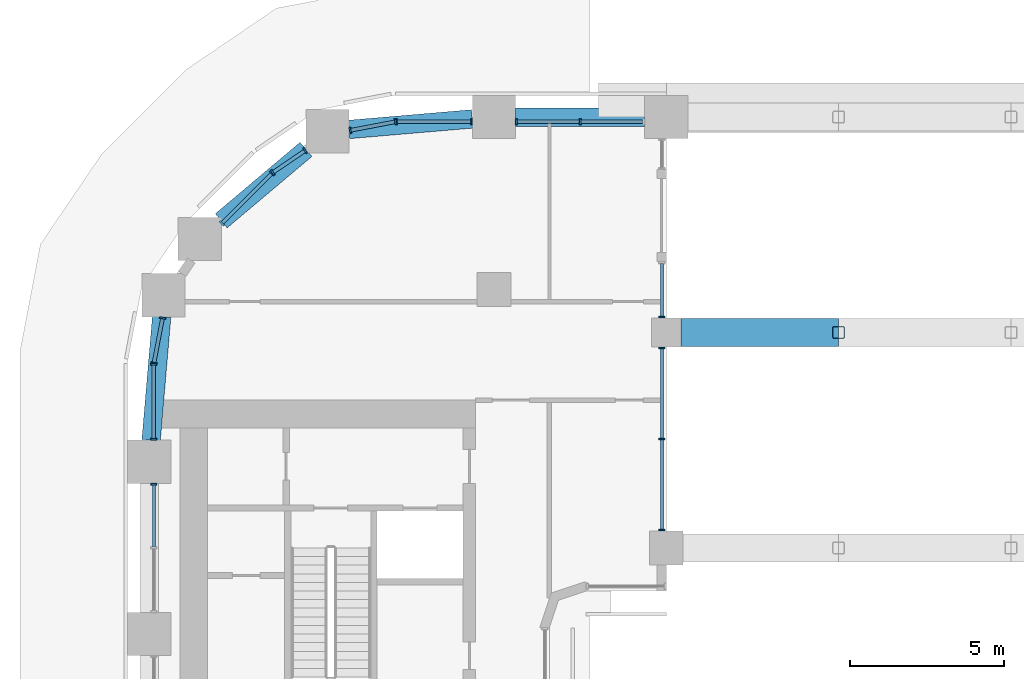
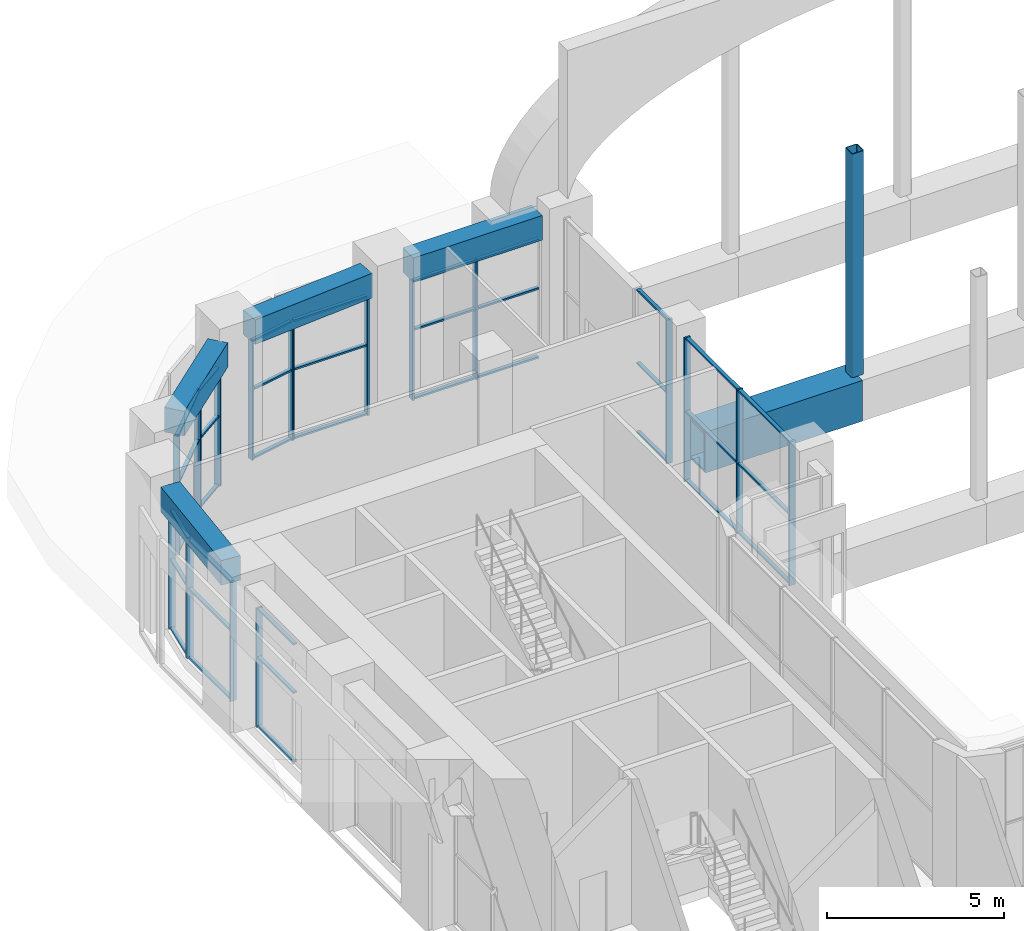
# One storey, part 8 of 27: 57 members, 4 beams, 10 elements without a shape of their own.
"""IFC4 building model written with IfcOpenShell, lengths in metres."""

from ifc_helpers import new_model, si_unit, direction, frame, origin, origin_2d, place, context, subcontext, project, spatial, rectangle, hollow_rectangle, extrude, material, layer, layer_set, material_profile, profile_set, type_object, element, aggregate, save


model = new_model("IFC4")

# Units and contexts
model_context = context("Model", 3, precision=1e-05, world=origin(), true_north=direction((0.0, 1.0)))
body_context = subcontext(model_context, "Body", "Model", "MODEL_VIEW")
ifc_project = project(units=[si_unit("LENGTHUNIT", "METRE"), si_unit("AREAUNIT", "SQUARE_METRE"), si_unit("VOLUMEUNIT", "CUBIC_METRE"), si_unit("PLANEANGLEUNIT", "RADIAN"), si_unit("MASSUNIT", "GRAM", prefix="KILO")], contexts=[model_context])

# Site, building, storey
site_placement = place(None, origin())
site = spatial("IfcSite", under=ifc_project, at=site_placement, CompositionType="ELEMENT")
building_placement = place(site_placement, origin())
building = spatial("IfcBuilding", under=site, at=building_placement, Name="Kiln Ring Residences", CompositionType="ELEMENT")
storey_placement = place(building_placement, frame((0.0, 0.0, 72.5)))
storey = spatial("IfcBuildingStorey", under=building, at=storey_placement, Name="L18", CompositionType="ELEMENT", Elevation=72.5)

# Members
ifc_material_1 = material(Name="Steel S460", Category="steel")
ifc_material_profile_1 = material_profile(ifc_material_1, hollow_rectangle(XDim=0.89990234375, YDim=1.39990234375, WallThickness=0.080078125, at=origin_2d()), Name="BOX1400x900x80")
ifc_profile_set_1 = profile_set([ifc_material_profile_1], Name="Steel S460")
member_type_1 = type_object("IfcMemberType", Name="Bridge truss chord BOX1400x900x80 S460", PredefinedType="CHORD", material=ifc_profile_set_1)
member_1_placement = place(storey_placement, frame((-10.72509765625, 15.39990234375, 0.699951171875), z_axis=(1.0, 0.0, 0.0), x_axis=(0.0, 1.0, 0.0)))
element("IfcMember", 1, at=member_1_placement, inside=storey, type_object=member_type_1, Name="Bridge truss chord L18 17", PredefinedType="CHORD", context=body_context, shape_type="SweptSolid", body=[
    extrude(hollow_rectangle(XDim=0.89990234375, YDim=1.39990234375, WallThickness=0.080078125, at=origin_2d()), origin(), (0.0, 0.0, 1.0), 5.125),
])
ifc_material_2 = material(Name="Steel S355", Category="steel")
ifc_material_profile_2 = material_profile(ifc_material_2, hollow_rectangle(XDim=0.39990234375, YDim=0.39990234375, WallThickness=0.02490234375, InnerFilletRadius=0.02490234375, OuterFilletRadius=0.0625, at=origin_2d()), Name="SHS400x400x25")
ifc_profile_set_2 = profile_set([ifc_material_profile_2], Name="Steel S355")
member_type_2 = type_object("IfcMemberType", Name="Bridge truss post SHS400x400x25 S355", PredefinedType="POST", material=ifc_profile_set_2)
member_2_placement = place(storey_placement, frame((-5.60009765625, 15.39990234375, 1.39990234375), z_axis=(0.0, 0.0, 1.0), x_axis=(1.0, 0.0, 0.0)))
element("IfcMember", 2, at=member_2_placement, inside=storey, type_object=member_type_2, Name="Bridge truss post L18 13", PredefinedType="POST", context=body_context, shape_type="SweptSolid", body=[
    extrude(hollow_rectangle(XDim=0.39990234375, YDim=0.39990234375, WallThickness=0.02490234375, InnerFilletRadius=0.02490234375, OuterFilletRadius=0.0625, at=origin_2d()), origin(), (0.0, 0.0, 1.0), 7.7001953125),
])

# Curtain wall, members
ifc_material_3 = material(Name="Aluminium and glass", Category="aluminium")
ifc_layer = layer(ifc_material_3, 0.199951171875)
ifc_layer_set = layer_set([ifc_layer], Name="CW1 CURTAIN WALL")
curtain_wall_type = type_object("IfcCurtainWallType", Name="CW1 CURTAIN WALL", PredefinedType="NOTDEFINED", material=ifc_layer_set)
placement = place(storey_placement, origin())
curtain_wall_1 = element("IfcCurtainWall", 3, at=placement, inside=storey, type_object=curtain_wall_type, Name="Curtain wall CW1 L18", PredefinedType="NOTDEFINED")
ifc_material_4 = material(Name="Aluminium 6063-T6", Category="aluminium")
ifc_material_profile_3 = material_profile(ifc_material_4, rectangle(XDim=0.199951171875, YDim=0.06005859375, at=origin_2d()), Name="AL 200x60")
ifc_profile_set_3 = profile_set([ifc_material_profile_3], Name="Aluminium 6063-T6")
member_type_3 = type_object("IfcMemberType", Name="CW1 MULLION 200 x 60", PredefinedType="MULLION", material=ifc_profile_set_3)
member_3_placement = place(storey_placement, frame((-11.35009765625, 8.97998046875, 0.0), z_axis=(0.0, 0.0, 1.0), x_axis=(-1.0, 0.0, 0.0)))
member_3 = element("IfcMember", 4, at=member_3_placement, type_object=member_type_3, Name="CW1 mullion 1", PredefinedType="MULLION", context=body_context, shape_type="SweptSolid", body=[
    extrude(rectangle(XDim=0.199951171875, YDim=0.06005859375, at=origin_2d()), origin(), (0.0, 0.0, 1.0), 4.949951171875),
])
member_4_placement = place(storey_placement, frame((-11.35009765625, 11.9375, 0.0), z_axis=(0.0, 0.0, 1.0), x_axis=(-1.0, 0.0, 0.0)))
member_4 = element("IfcMember", 5, at=member_4_placement, type_object=member_type_3, Name="CW1 mullion 2", PredefinedType="MULLION", context=body_context, shape_type="SweptSolid", body=[
    extrude(rectangle(XDim=0.199951171875, YDim=0.06005859375, at=origin_2d()), origin(), (0.0, 0.0, 1.0), 4.949951171875),
])
member_5_placement = place(storey_placement, frame((-11.35009765625, 14.89501953125, 0.0), z_axis=(0.0, 0.0, 1.0), x_axis=(-1.0, 0.0, 0.0)))
member_5 = element("IfcMember", 6, at=member_5_placement, type_object=member_type_3, Name="CW1 mullion 3", PredefinedType="MULLION", context=body_context, shape_type="SweptSolid", body=[
    extrude(rectangle(XDim=0.199951171875, YDim=0.06005859375, at=origin_2d()), origin(), (0.0, 0.0, 1.0), 4.949951171875),
])

# Curtain wall, member
curtain_wall_2 = element("IfcCurtainWall", 7, at=placement, inside=storey, type_object=curtain_wall_type, Name="Curtain wall CW1 L18", PredefinedType="NOTDEFINED")
member_6_placement = place(storey_placement, frame((-11.35009765625, 15.905029296875, 0.0), z_axis=(0.0, 0.0, 1.0), x_axis=(-1.0, 0.0, 0.0)))
member_6 = element("IfcMember", 8, at=member_6_placement, type_object=member_type_3, Name="CW1 mullion 1", PredefinedType="MULLION", context=body_context, shape_type="SweptSolid", body=[
    extrude(rectangle(XDim=0.199951171875, YDim=0.06005859375, at=origin_2d()), origin(), (0.0, 0.0, 1.0), 4.949951171875),
])

# Curtain wall, members
curtain_wall_3 = element("IfcCurtainWall", 9, at=placement, inside=storey, type_object=curtain_wall_type, Name="Curtain wall CW1 L18", PredefinedType="NOTDEFINED")
member_7_placement = place(storey_placement, frame((-14.0, 22.25, 0.0), z_axis=(0.0, 0.0, 1.0), x_axis=(0.0, -1.0, 0.0)))
member_7 = element("IfcMember", 10, at=member_7_placement, type_object=member_type_3, Name="CW1 mullion 2", PredefinedType="MULLION", context=body_context, shape_type="SweptSolid", body=[
    extrude(rectangle(XDim=0.199951171875, YDim=0.06005859375, at=origin_2d()), origin(), (0.0, 0.0, 1.0), 4.10009765625),
])
member_8_placement = place(storey_placement, frame((-16.070068359375, 22.25, 0.0), z_axis=(0.0, 0.0, 1.0), x_axis=(0.0, -1.0, 0.0)))
member_8 = element("IfcMember", 11, at=member_8_placement, type_object=member_type_3, Name="CW1 mullion 3", PredefinedType="MULLION", context=body_context, shape_type="SweptSolid", body=[
    extrude(rectangle(XDim=0.199951171875, YDim=0.06005859375, at=origin_2d()), origin(), (0.0, 0.0, 1.0), 4.10009765625),
])

curtain_wall_4 = element("IfcCurtainWall", 12, at=placement, inside=storey, type_object=curtain_wall_type, Name="Curtain wall CW1 L18", PredefinedType="NOTDEFINED")
member_9_placement = place(storey_placement, frame((-17.530029296875, 22.25, 0.0), z_axis=(0.0, 0.0, 1.0), x_axis=(0.0, -1.0, 0.0)))
member_9 = element("IfcMember", 13, at=member_9_placement, type_object=member_type_3, Name="CW1 mullion 1", PredefinedType="MULLION", context=body_context, shape_type="SweptSolid", body=[
    extrude(rectangle(XDim=0.199951171875, YDim=0.06005859375, at=origin_2d()), origin(), (0.0, 0.0, 1.0), 4.10009765625),
])
member_10_placement = place(storey_placement, frame((-19.969970703125, 22.25, 0.0), z_axis=(0.0, 0.0, 1.0), x_axis=(0.0, -1.0, 0.0)))
member_10 = element("IfcMember", 14, at=member_10_placement, type_object=member_type_3, Name="CW1 mullion 2", PredefinedType="MULLION", context=body_context, shape_type="SweptSolid", body=[
    extrude(rectangle(XDim=0.199951171875, YDim=0.06005859375, at=origin_2d()), origin(), (0.0, 0.0, 1.0), 4.10009765625),
])

curtain_wall_5 = element("IfcCurtainWall", 15, at=placement, inside=storey, type_object=curtain_wall_type, Name="Curtain wall CW1 L18", PredefinedType="NOTDEFINED")
member_11_placement = place(storey_placement, frame((-20.00146484375, 22.2470703125, 0.0), z_axis=(0.0, 0.0, 1.0), x_axis=(0.187365550313, -0.982290257793, 0.0)))
member_11 = element("IfcMember", 16, at=member_11_placement, type_object=member_type_3, Name="CW1 mullion 1", PredefinedType="MULLION", context=body_context, shape_type="SweptSolid", body=[
    extrude(rectangle(XDim=0.199951171875, YDim=0.06005859375, at=origin_2d()), origin(), (0.0, 0.0, 1.0), 4.10009765625),
])
member_12_placement = place(storey_placement, frame((-21.470947265625, 21.966796875, 0.0), z_axis=(0.0, 0.0, 1.0), x_axis=(0.187365550313, -0.982290257793, 0.0)))
member_12 = element("IfcMember", 17, at=member_12_placement, type_object=member_type_3, Name="CW1 mullion 2", PredefinedType="MULLION", context=body_context, shape_type="SweptSolid", body=[
    extrude(rectangle(XDim=0.199951171875, YDim=0.06005859375, at=origin_2d()), origin(), (0.0, 0.0, 1.0), 4.10009765625),
])

curtain_wall_6 = element("IfcCurtainWall", 18, at=placement, inside=storey, type_object=curtain_wall_type, Name="Curtain wall CW1 L18", PredefinedType="NOTDEFINED")
member_13_placement = place(storey_placement, frame((-22.93359375, 21.312255859375, 0.0), z_axis=(0.0, 0.0, 1.0), x_axis=(0.56209665138, -0.827071553439, 0.0)))
member_13 = element("IfcMember", 19, at=member_13_placement, type_object=member_type_3, Name="CW1 mullion 1", PredefinedType="MULLION", context=body_context, shape_type="SweptSolid", body=[
    extrude(rectangle(XDim=0.199951171875, YDim=0.06005859375, at=origin_2d()), origin(), (0.0, 0.0, 1.0), 4.10009765625),
])
member_14_placement = place(storey_placement, frame((-23.988037109375, 20.595703125, 0.0), z_axis=(0.0, 0.0, 1.0), x_axis=(0.56209665138, -0.827071553439, 0.0)))
member_14 = element("IfcMember", 20, at=member_14_placement, type_object=member_type_3, Name="CW1 mullion 2", PredefinedType="MULLION", context=body_context, shape_type="SweptSolid", body=[
    extrude(rectangle(XDim=0.199951171875, YDim=0.06005859375, at=origin_2d()), origin(), (0.0, 0.0, 1.0), 4.10009765625),
])

curtain_wall_7 = element("IfcCurtainWall", 21, at=placement, inside=storey, type_object=curtain_wall_type, Name="Curtain wall CW1 L18", PredefinedType="NOTDEFINED")
member_15_placement = place(storey_placement, frame((-24.01220703125, 20.57568359375, 0.0), z_axis=(0.0, 0.0, 1.0), x_axis=(0.707106781187, -0.707106781187, 0.0)))
member_15 = element("IfcMember", 22, at=member_15_placement, type_object=member_type_3, Name="CW1 mullion 1", PredefinedType="MULLION", context=body_context, shape_type="SweptSolid", body=[
    extrude(rectangle(XDim=0.199951171875, YDim=0.06005859375, at=origin_2d()), origin(), (0.0, 0.0, 1.0), 4.10009765625),
])
member_16_placement = place(storey_placement, frame((-25.638671875, 18.94921875, 0.0), z_axis=(0.0, 0.0, 1.0), x_axis=(0.707106781187, -0.707106781187, 0.0)))
member_16 = element("IfcMember", 23, at=member_16_placement, type_object=member_type_3, Name="CW1 mullion 2", PredefinedType="MULLION", context=body_context, shape_type="SweptSolid", body=[
    extrude(rectangle(XDim=0.199951171875, YDim=0.06005859375, at=origin_2d()), origin(), (0.0, 0.0, 1.0), 4.10009765625),
])

curtain_wall_8 = element("IfcCurtainWall", 24, at=placement, inside=storey, type_object=curtain_wall_type, Name="Curtain wall CW1 L18", PredefinedType="NOTDEFINED")
member_17_placement = place(storey_placement, frame((-27.566650390625, 15.87109375, 0.0), z_axis=(0.0, 0.0, 1.0), x_axis=(0.982290257793, -0.187365550313, 0.0)))
member_17 = element("IfcMember", 25, at=member_17_placement, type_object=member_type_3, Name="CW1 mullion 1", PredefinedType="MULLION", context=body_context, shape_type="SweptSolid", body=[
    extrude(rectangle(XDim=0.199951171875, YDim=0.06005859375, at=origin_2d()), origin(), (0.0, 0.0, 1.0), 4.10009765625),
])
member_18_placement = place(storey_placement, frame((-27.846923828125, 14.4013671875, 0.0), z_axis=(0.0, 0.0, 1.0), x_axis=(0.982290257793, -0.187365550313, 0.0)))
member_18 = element("IfcMember", 26, at=member_18_placement, type_object=member_type_3, Name="CW1 mullion 2", PredefinedType="MULLION", context=body_context, shape_type="SweptSolid", body=[
    extrude(rectangle(XDim=0.199951171875, YDim=0.06005859375, at=origin_2d()), origin(), (0.0, 0.0, 1.0), 4.10009765625),
])

curtain_wall_9 = element("IfcCurtainWall", 27, at=placement, inside=storey, type_object=curtain_wall_type, Name="Curtain wall CW1 L18", PredefinedType="NOTDEFINED")
member_19_placement = place(storey_placement, frame((-27.85009765625, 14.3701171875, 0.0), z_axis=(0.0, 0.0, 1.0), x_axis=(1.0, 0.0, 0.0)))
member_19 = element("IfcMember", 28, at=member_19_placement, type_object=member_type_3, Name="CW1 mullion 1", PredefinedType="MULLION", context=body_context, shape_type="SweptSolid", body=[
    extrude(rectangle(XDim=0.199951171875, YDim=0.06005859375, at=origin_2d()), origin(), (0.0, 0.0, 1.0), 4.10009765625),
])
member_20_placement = place(storey_placement, frame((-27.85009765625, 11.929931640625, 0.0), z_axis=(0.0, 0.0, 1.0), x_axis=(1.0, 0.0, 0.0)))
member_20 = element("IfcMember", 29, at=member_20_placement, type_object=member_type_3, Name="CW1 mullion 2", PredefinedType="MULLION", context=body_context, shape_type="SweptSolid", body=[
    extrude(rectangle(XDim=0.199951171875, YDim=0.06005859375, at=origin_2d()), origin(), (0.0, 0.0, 1.0), 4.10009765625),
])

# Curtain wall, member
curtain_wall_10 = element("IfcCurtainWall", 30, at=placement, inside=storey, type_object=curtain_wall_type, Name="Curtain wall CW1 L18", PredefinedType="NOTDEFINED")
member_21_placement = place(storey_placement, frame((-27.85009765625, 10.469970703125, 0.0), z_axis=(0.0, 0.0, 1.0), x_axis=(1.0, 0.0, 0.0)))
member_21 = element("IfcMember", 31, at=member_21_placement, type_object=member_type_3, Name="CW1 mullion 1", PredefinedType="MULLION", context=body_context, shape_type="SweptSolid", body=[
    extrude(rectangle(XDim=0.199951171875, YDim=0.06005859375, at=origin_2d()), origin(), (0.0, 0.0, 1.0), 4.10009765625),
])

# Member
ifc_material_5 = material(Name="Aluminium 6063-T6", Category="aluminium")
ifc_material_profile_4 = material_profile(ifc_material_5, rectangle(XDim=0.1201171875, YDim=0.06005859375, at=origin_2d()), Name="AL 120x60")
ifc_profile_set_4 = profile_set([ifc_material_profile_4], Name="Aluminium 6063-T6")
member_type_4 = type_object("IfcMemberType", Name="CW1 TRANSOM 120 x 60", PredefinedType="USERDEFINED", material=ifc_profile_set_4)
member_22_placement = place(storey_placement, frame((-11.35009765625, 9.010009765625, 0.030029296875), z_axis=(0.0, 1.0, 0.0), x_axis=(-1.0, 0.0, 0.0)))
member_22 = element("IfcMember", 32, at=member_22_placement, type_object=member_type_4, Name="CW1 transom 1.1", ObjectType="TRANSOM", PredefinedType="USERDEFINED", context=body_context, shape_type="SweptSolid", body=[
    extrude(rectangle(XDim=0.1201171875, YDim=0.06005859375, at=origin_2d()), origin(), (0.0, 0.0, 1.0), 2.8974609375),
])

member_23_placement = place(storey_placement, frame((-11.35009765625, 9.010009765625, 2.39990234375), z_axis=(0.0, 1.0, 0.0), x_axis=(-1.0, 0.0, 0.0)))
member_23 = element("IfcMember", 33, at=member_23_placement, type_object=member_type_4, Name="CW1 transom 1.2", ObjectType="TRANSOM", PredefinedType="USERDEFINED", context=body_context, shape_type="SweptSolid", body=[
    extrude(rectangle(XDim=0.1201171875, YDim=0.06005859375, at=origin_2d()), origin(), (0.0, 0.0, 1.0), 2.8974609375),
])

member_24_placement = place(storey_placement, frame((-11.35009765625, 9.010009765625, 4.919921875), z_axis=(0.0, 1.0, 0.0), x_axis=(-1.0, 0.0, 0.0)))
member_24 = element("IfcMember", 34, at=member_24_placement, type_object=member_type_4, Name="CW1 transom 1.3", ObjectType="TRANSOM", PredefinedType="USERDEFINED", context=body_context, shape_type="SweptSolid", body=[
    extrude(rectangle(XDim=0.1201171875, YDim=0.06005859375, at=origin_2d()), origin(), (0.0, 0.0, 1.0), 2.8974609375),
])

member_25_placement = place(storey_placement, frame((-11.35009765625, 11.967529296875, 0.030029296875), z_axis=(0.0, 1.0, 0.0), x_axis=(-1.0, 0.0, 0.0)))
member_25 = element("IfcMember", 35, at=member_25_placement, type_object=member_type_4, Name="CW1 transom 2.1", ObjectType="TRANSOM", PredefinedType="USERDEFINED", context=body_context, shape_type="SweptSolid", body=[
    extrude(rectangle(XDim=0.1201171875, YDim=0.06005859375, at=origin_2d()), origin(), (0.0, 0.0, 1.0), 2.8974609375),
])

member_26_placement = place(storey_placement, frame((-11.35009765625, 11.967529296875, 2.39990234375), z_axis=(0.0, 1.0, 0.0), x_axis=(-1.0, 0.0, 0.0)))
member_26 = element("IfcMember", 36, at=member_26_placement, type_object=member_type_4, Name="CW1 transom 2.2", ObjectType="TRANSOM", PredefinedType="USERDEFINED", context=body_context, shape_type="SweptSolid", body=[
    extrude(rectangle(XDim=0.1201171875, YDim=0.06005859375, at=origin_2d()), origin(), (0.0, 0.0, 1.0), 2.8974609375),
])

member_27_placement = place(storey_placement, frame((-11.35009765625, 11.967529296875, 4.919921875), z_axis=(0.0, 1.0, 0.0), x_axis=(-1.0, 0.0, 0.0)))
member_27 = element("IfcMember", 37, at=member_27_placement, type_object=member_type_4, Name="CW1 transom 2.3", ObjectType="TRANSOM", PredefinedType="USERDEFINED", context=body_context, shape_type="SweptSolid", body=[
    extrude(rectangle(XDim=0.1201171875, YDim=0.06005859375, at=origin_2d()), origin(), (0.0, 0.0, 1.0), 2.8974609375),
])

aggregate(curtain_wall_1, [member_3, member_4, member_5, member_22, member_23, member_24, member_25, member_26, member_27])

member_28_placement = place(storey_placement, frame((-11.35009765625, 15.93505859375, 0.030029296875), z_axis=(0.0, 1.0, 0.0), x_axis=(-1.0, 0.0, 0.0)))
member_28 = element("IfcMember", 38, at=member_28_placement, type_object=member_type_4, Name="CW1 transom 1.1", ObjectType="TRANSOM", PredefinedType="USERDEFINED", context=body_context, shape_type="SweptSolid", body=[
    extrude(rectangle(XDim=0.1201171875, YDim=0.06005859375, at=origin_2d()), origin(), (0.0, 0.0, 1.0), 1.704833984375),
])

member_29_placement = place(storey_placement, frame((-11.35009765625, 15.93505859375, 2.39990234375), z_axis=(0.0, 1.0, 0.0), x_axis=(-1.0, 0.0, 0.0)))
member_29 = element("IfcMember", 39, at=member_29_placement, type_object=member_type_4, Name="CW1 transom 1.2", ObjectType="TRANSOM", PredefinedType="USERDEFINED", context=body_context, shape_type="SweptSolid", body=[
    extrude(rectangle(XDim=0.1201171875, YDim=0.06005859375, at=origin_2d()), origin(), (0.0, 0.0, 1.0), 1.704833984375),
])

member_30_placement = place(storey_placement, frame((-11.35009765625, 15.93505859375, 4.919921875), z_axis=(0.0, 1.0, 0.0), x_axis=(-1.0, 0.0, 0.0)))
member_30 = element("IfcMember", 40, at=member_30_placement, type_object=member_type_4, Name="CW1 transom 1.3", ObjectType="TRANSOM", PredefinedType="USERDEFINED", context=body_context, shape_type="SweptSolid", body=[
    extrude(rectangle(XDim=0.1201171875, YDim=0.06005859375, at=origin_2d()), origin(), (0.0, 0.0, 1.0), 1.704833984375),
])

aggregate(curtain_wall_2, [member_6, member_28, member_29, member_30])

member_31_placement = place(storey_placement, frame((-11.9599609375, 22.25, 0.030029296875), z_axis=(-1.0, 0.0, 0.0), x_axis=(0.0, -1.0, 0.0)))
member_31 = element("IfcMember", 41, at=member_31_placement, type_object=member_type_4, Name="CW1 transom 1.1", ObjectType="TRANSOM", PredefinedType="USERDEFINED", context=body_context, shape_type="SweptSolid", body=[
    extrude(rectangle(XDim=0.1201171875, YDim=0.06005859375, at=origin_2d()), origin(), (0.0, 0.0, 1.0), 2.010009765625),
])

member_32_placement = place(storey_placement, frame((-11.9599609375, 22.25, 2.39990234375), z_axis=(-1.0, 0.0, 0.0), x_axis=(0.0, -1.0, 0.0)))
member_32 = element("IfcMember", 42, at=member_32_placement, type_object=member_type_4, Name="CW1 transom 1.2", ObjectType="TRANSOM", PredefinedType="USERDEFINED", context=body_context, shape_type="SweptSolid", body=[
    extrude(rectangle(XDim=0.1201171875, YDim=0.06005859375, at=origin_2d()), origin(), (0.0, 0.0, 1.0), 2.010009765625),
])

member_33_placement = place(storey_placement, frame((-11.9599609375, 22.25, 4.070068359375), z_axis=(-1.0, 0.0, 0.0), x_axis=(0.0, -1.0, 0.0)))
member_33 = element("IfcMember", 43, at=member_33_placement, type_object=member_type_4, Name="CW1 transom 1.3", ObjectType="TRANSOM", PredefinedType="USERDEFINED", context=body_context, shape_type="SweptSolid", body=[
    extrude(rectangle(XDim=0.1201171875, YDim=0.06005859375, at=origin_2d()), origin(), (0.0, 0.0, 1.0), 2.010009765625),
])

member_34_placement = place(storey_placement, frame((-14.030029296875, 22.25, 0.030029296875), z_axis=(-1.0, 0.0, 0.0), x_axis=(0.0, -1.0, 0.0)))
member_34 = element("IfcMember", 44, at=member_34_placement, type_object=member_type_4, Name="CW1 transom 2.1", ObjectType="TRANSOM", PredefinedType="USERDEFINED", context=body_context, shape_type="SweptSolid", body=[
    extrude(rectangle(XDim=0.1201171875, YDim=0.06005859375, at=origin_2d()), origin(), (0.0, 0.0, 1.0), 2.010009765625),
])

member_35_placement = place(storey_placement, frame((-14.030029296875, 22.25, 2.39990234375), z_axis=(-1.0, 0.0, 0.0), x_axis=(0.0, -1.0, 0.0)))
member_35 = element("IfcMember", 45, at=member_35_placement, type_object=member_type_4, Name="CW1 transom 2.2", ObjectType="TRANSOM", PredefinedType="USERDEFINED", context=body_context, shape_type="SweptSolid", body=[
    extrude(rectangle(XDim=0.1201171875, YDim=0.06005859375, at=origin_2d()), origin(), (0.0, 0.0, 1.0), 2.010009765625),
])

member_36_placement = place(storey_placement, frame((-14.030029296875, 22.25, 4.070068359375), z_axis=(-1.0, 0.0, 0.0), x_axis=(0.0, -1.0, 0.0)))
member_36 = element("IfcMember", 46, at=member_36_placement, type_object=member_type_4, Name="CW1 transom 2.3", ObjectType="TRANSOM", PredefinedType="USERDEFINED", context=body_context, shape_type="SweptSolid", body=[
    extrude(rectangle(XDim=0.1201171875, YDim=0.06005859375, at=origin_2d()), origin(), (0.0, 0.0, 1.0), 2.010009765625),
])

aggregate(curtain_wall_3, [member_7, member_8, member_31, member_32, member_33, member_34, member_35, member_36])

member_37_placement = place(storey_placement, frame((-17.56005859375, 22.25, 0.030029296875), z_axis=(-1.0, 0.0, 0.0), x_axis=(0.0, -1.0, 0.0)))
member_37 = element("IfcMember", 47, at=member_37_placement, type_object=member_type_4, Name="CW1 transom 1.1", ObjectType="TRANSOM", PredefinedType="USERDEFINED", context=body_context, shape_type="SweptSolid", body=[
    extrude(rectangle(XDim=0.1201171875, YDim=0.06005859375, at=origin_2d()), origin(), (0.0, 0.0, 1.0), 2.3798828125),
])

member_38_placement = place(storey_placement, frame((-17.56005859375, 22.25, 2.39990234375), z_axis=(-1.0, 0.0, 0.0), x_axis=(0.0, -1.0, 0.0)))
member_38 = element("IfcMember", 48, at=member_38_placement, type_object=member_type_4, Name="CW1 transom 1.2", ObjectType="TRANSOM", PredefinedType="USERDEFINED", context=body_context, shape_type="SweptSolid", body=[
    extrude(rectangle(XDim=0.1201171875, YDim=0.06005859375, at=origin_2d()), origin(), (0.0, 0.0, 1.0), 2.3798828125),
])

member_39_placement = place(storey_placement, frame((-17.56005859375, 22.25, 4.070068359375), z_axis=(-1.0, 0.0, 0.0), x_axis=(0.0, -1.0, 0.0)))
member_39 = element("IfcMember", 49, at=member_39_placement, type_object=member_type_4, Name="CW1 transom 1.3", ObjectType="TRANSOM", PredefinedType="USERDEFINED", context=body_context, shape_type="SweptSolid", body=[
    extrude(rectangle(XDim=0.1201171875, YDim=0.06005859375, at=origin_2d()), origin(), (0.0, 0.0, 1.0), 2.3798828125),
])

aggregate(curtain_wall_4, [member_9, member_10, member_37, member_38, member_39])

member_40_placement = place(storey_placement, frame((-20.03076171875, 22.241455078125, 0.030029296875), z_axis=(-0.982293897976, -0.187346465138, 0.0), x_axis=(0.187346465138, -0.982293897976, 0.0)))
member_40 = element("IfcMember", 50, at=member_40_placement, type_object=member_type_4, Name="CW1 transom 1.1", ObjectType="TRANSOM", PredefinedType="USERDEFINED", context=body_context, shape_type="SweptSolid", body=[
    extrude(rectangle(XDim=0.1201171875, YDim=0.06005859375, at=origin_2d()), origin(), (0.0, 0.0, 1.0), 1.43603515625),
])

member_41_placement = place(storey_placement, frame((-20.03076171875, 22.241455078125, 2.39990234375), z_axis=(-0.982293897976, -0.187346465138, 0.0), x_axis=(0.187346465138, -0.982293897976, 0.0)))
member_41 = element("IfcMember", 51, at=member_41_placement, type_object=member_type_4, Name="CW1 transom 1.2", ObjectType="TRANSOM", PredefinedType="USERDEFINED", context=body_context, shape_type="SweptSolid", body=[
    extrude(rectangle(XDim=0.1201171875, YDim=0.06005859375, at=origin_2d()), origin(), (0.0, 0.0, 1.0), 1.43603515625),
])

member_42_placement = place(storey_placement, frame((-20.03076171875, 22.241455078125, 4.070068359375), z_axis=(-0.982293897976, -0.187346465138, 0.0), x_axis=(0.187346465138, -0.982293897976, 0.0)))
member_42 = element("IfcMember", 52, at=member_42_placement, type_object=member_type_4, Name="CW1 transom 1.3", ObjectType="TRANSOM", PredefinedType="USERDEFINED", context=body_context, shape_type="SweptSolid", body=[
    extrude(rectangle(XDim=0.1201171875, YDim=0.06005859375, at=origin_2d()), origin(), (0.0, 0.0, 1.0), 1.43603515625),
])

aggregate(curtain_wall_5, [member_11, member_12, member_40, member_41, member_42])

member_43_placement = place(storey_placement, frame((-22.958251953125, 21.29541015625, 0.030029296875), z_axis=(-0.827102126361, -0.562051663613, 0.0), x_axis=(0.562051663613, -0.827102126361, 0.0)))
member_43 = element("IfcMember", 53, at=member_43_placement, type_object=member_type_4, Name="CW1 transom 1.1", ObjectType="TRANSOM", PredefinedType="USERDEFINED", context=body_context, shape_type="SweptSolid", body=[
    extrude(rectangle(XDim=0.1201171875, YDim=0.06005859375, at=origin_2d()), origin(), (0.0, 0.0, 1.0), 1.21484375),
])

member_44_placement = place(storey_placement, frame((-22.958251953125, 21.29541015625, 2.39990234375), z_axis=(-0.827102126361, -0.562051663613, 0.0), x_axis=(0.562051663613, -0.827102126361, 0.0)))
member_44 = element("IfcMember", 54, at=member_44_placement, type_object=member_type_4, Name="CW1 transom 1.2", ObjectType="TRANSOM", PredefinedType="USERDEFINED", context=body_context, shape_type="SweptSolid", body=[
    extrude(rectangle(XDim=0.1201171875, YDim=0.06005859375, at=origin_2d()), origin(), (0.0, 0.0, 1.0), 1.21484375),
])

member_45_placement = place(storey_placement, frame((-22.958251953125, 21.29541015625, 4.070068359375), z_axis=(-0.827102126361, -0.562051663613, 0.0), x_axis=(0.562051663613, -0.827102126361, 0.0)))
member_45 = element("IfcMember", 55, at=member_45_placement, type_object=member_type_4, Name="CW1 transom 1.3", ObjectType="TRANSOM", PredefinedType="USERDEFINED", context=body_context, shape_type="SweptSolid", body=[
    extrude(rectangle(XDim=0.1201171875, YDim=0.06005859375, at=origin_2d()), origin(), (0.0, 0.0, 1.0), 1.21484375),
])

aggregate(curtain_wall_6, [member_13, member_14, member_43, member_44, member_45])

member_46_placement = place(storey_placement, frame((-24.033447265625, 20.554443359375, 0.030029296875), z_axis=(-0.707106781187, -0.707106781187, 0.0), x_axis=(0.707106781187, -0.707106781187, 0.0)))
member_46 = element("IfcMember", 56, at=member_46_placement, type_object=member_type_4, Name="CW1 transom 1.1", ObjectType="TRANSOM", PredefinedType="USERDEFINED", context=body_context, shape_type="SweptSolid", body=[
    extrude(rectangle(XDim=0.1201171875, YDim=0.06005859375, at=origin_2d()), origin(), (0.0, 0.0, 1.0), 2.239990234375),
])

member_47_placement = place(storey_placement, frame((-24.033447265625, 20.554443359375, 2.39990234375), z_axis=(-0.707106781187, -0.707106781187, 0.0), x_axis=(0.707106781187, -0.707106781187, 0.0)))
member_47 = element("IfcMember", 57, at=member_47_placement, type_object=member_type_4, Name="CW1 transom 1.2", ObjectType="TRANSOM", PredefinedType="USERDEFINED", context=body_context, shape_type="SweptSolid", body=[
    extrude(rectangle(XDim=0.1201171875, YDim=0.06005859375, at=origin_2d()), origin(), (0.0, 0.0, 1.0), 2.239990234375),
])

member_48_placement = place(storey_placement, frame((-24.033447265625, 20.554443359375, 4.070068359375), z_axis=(-0.707106781187, -0.707106781187, 0.0), x_axis=(0.707106781187, -0.707106781187, 0.0)))
member_48 = element("IfcMember", 58, at=member_48_placement, type_object=member_type_4, Name="CW1 transom 1.3", ObjectType="TRANSOM", PredefinedType="USERDEFINED", context=body_context, shape_type="SweptSolid", body=[
    extrude(rectangle(XDim=0.1201171875, YDim=0.06005859375, at=origin_2d()), origin(), (0.0, 0.0, 1.0), 2.239990234375),
])

aggregate(curtain_wall_7, [member_15, member_16, member_46, member_47, member_48])

member_49_placement = place(storey_placement, frame((-27.572265625, 15.841552734375, 0.030029296875), z_axis=(-0.187346465138, -0.982293897976, 0.0), x_axis=(0.982293897976, -0.187346465138, 0.0)))
member_49 = element("IfcMember", 59, at=member_49_placement, type_object=member_type_4, Name="CW1 transom 1.1", ObjectType="TRANSOM", PredefinedType="USERDEFINED", context=body_context, shape_type="SweptSolid", body=[
    extrude(rectangle(XDim=0.1201171875, YDim=0.06005859375, at=origin_2d()), origin(), (0.0, 0.0, 1.0), 1.43603515625),
])

member_50_placement = place(storey_placement, frame((-27.572265625, 15.841552734375, 2.39990234375), z_axis=(-0.187346465138, -0.982293897976, 0.0), x_axis=(0.982293897976, -0.187346465138, 0.0)))
member_50 = element("IfcMember", 60, at=member_50_placement, type_object=member_type_4, Name="CW1 transom 1.2", ObjectType="TRANSOM", PredefinedType="USERDEFINED", context=body_context, shape_type="SweptSolid", body=[
    extrude(rectangle(XDim=0.1201171875, YDim=0.06005859375, at=origin_2d()), origin(), (0.0, 0.0, 1.0), 1.43603515625),
])

member_51_placement = place(storey_placement, frame((-27.572265625, 15.841552734375, 4.070068359375), z_axis=(-0.187346465138, -0.982293897976, 0.0), x_axis=(0.982293897976, -0.187346465138, 0.0)))
member_51 = element("IfcMember", 61, at=member_51_placement, type_object=member_type_4, Name="CW1 transom 1.3", ObjectType="TRANSOM", PredefinedType="USERDEFINED", context=body_context, shape_type="SweptSolid", body=[
    extrude(rectangle(XDim=0.1201171875, YDim=0.06005859375, at=origin_2d()), origin(), (0.0, 0.0, 1.0), 1.43603515625),
])

aggregate(curtain_wall_8, [member_17, member_18, member_49, member_50, member_51])

member_52_placement = place(storey_placement, frame((-27.85009765625, 14.340087890625, 0.030029296875), z_axis=(0.0, -1.0, 0.0), x_axis=(1.0, 0.0, 0.0)))
member_52 = element("IfcMember", 62, at=member_52_placement, type_object=member_type_4, Name="CW1 transom 1.1", ObjectType="TRANSOM", PredefinedType="USERDEFINED", context=body_context, shape_type="SweptSolid", body=[
    extrude(rectangle(XDim=0.1201171875, YDim=0.06005859375, at=origin_2d()), origin(), (0.0, 0.0, 1.0), 2.380126953125),
])

member_53_placement = place(storey_placement, frame((-27.85009765625, 14.340087890625, 2.39990234375), z_axis=(0.0, -1.0, 0.0), x_axis=(1.0, 0.0, 0.0)))
member_53 = element("IfcMember", 63, at=member_53_placement, type_object=member_type_4, Name="CW1 transom 1.2", ObjectType="TRANSOM", PredefinedType="USERDEFINED", context=body_context, shape_type="SweptSolid", body=[
    extrude(rectangle(XDim=0.1201171875, YDim=0.06005859375, at=origin_2d()), origin(), (0.0, 0.0, 1.0), 2.380126953125),
])

member_54_placement = place(storey_placement, frame((-27.85009765625, 14.340087890625, 4.070068359375), z_axis=(0.0, -1.0, 0.0), x_axis=(1.0, 0.0, 0.0)))
member_54 = element("IfcMember", 64, at=member_54_placement, type_object=member_type_4, Name="CW1 transom 1.3", ObjectType="TRANSOM", PredefinedType="USERDEFINED", context=body_context, shape_type="SweptSolid", body=[
    extrude(rectangle(XDim=0.1201171875, YDim=0.06005859375, at=origin_2d()), origin(), (0.0, 0.0, 1.0), 2.380126953125),
])

aggregate(curtain_wall_9, [member_19, member_20, member_52, member_53, member_54])

member_55_placement = place(storey_placement, frame((-27.85009765625, 10.43994140625, 0.030029296875), z_axis=(0.0, -1.0, 0.0), x_axis=(1.0, 0.0, 0.0)))
member_55 = element("IfcMember", 65, at=member_55_placement, type_object=member_type_4, Name="CW1 transom 1.1", ObjectType="TRANSOM", PredefinedType="USERDEFINED", context=body_context, shape_type="SweptSolid", body=[
    extrude(rectangle(XDim=0.1201171875, YDim=0.06005859375, at=origin_2d()), origin(), (0.0, 0.0, 1.0), 2.010009765625),
])

member_56_placement = place(storey_placement, frame((-27.85009765625, 10.43994140625, 2.39990234375), z_axis=(0.0, -1.0, 0.0), x_axis=(1.0, 0.0, 0.0)))
member_56 = element("IfcMember", 66, at=member_56_placement, type_object=member_type_4, Name="CW1 transom 1.2", ObjectType="TRANSOM", PredefinedType="USERDEFINED", context=body_context, shape_type="SweptSolid", body=[
    extrude(rectangle(XDim=0.1201171875, YDim=0.06005859375, at=origin_2d()), origin(), (0.0, 0.0, 1.0), 2.010009765625),
])

member_57_placement = place(storey_placement, frame((-27.85009765625, 10.43994140625, 4.070068359375), z_axis=(0.0, -1.0, 0.0), x_axis=(1.0, 0.0, 0.0)))
member_57 = element("IfcMember", 67, at=member_57_placement, type_object=member_type_4, Name="CW1 transom 1.3", ObjectType="TRANSOM", PredefinedType="USERDEFINED", context=body_context, shape_type="SweptSolid", body=[
    extrude(rectangle(XDim=0.1201171875, YDim=0.06005859375, at=origin_2d()), origin(), (0.0, 0.0, 1.0), 2.010009765625),
])

aggregate(curtain_wall_10, [member_21, member_55, member_56, member_57])

# Beams
ifc_material_6 = material(Name="Concrete C50/60", Category="concrete")
ifc_material_profile_5 = material_profile(ifc_material_6, rectangle(XDim=0.60009765625, YDim=0.85009765625, at=origin_2d()), Name="RC600x850")
ifc_profile_set_5 = profile_set([ifc_material_profile_5], Name="Concrete C50/60")
beam_type = type_object("IfcBeamType", Name="Spandrel beam RC600x850 C50/60", PredefinedType="SPANDREL", material=ifc_profile_set_5)
beam_1_placement = place(storey_placement, frame((-11.89990234375, 22.39990234375, 4.52490234375), z_axis=(-1.0, 0.0, 0.0), x_axis=(0.0, -1.0, 0.0)))
element("IfcBeam", 68, at=beam_1_placement, inside=storey, type_object=beam_type, Name="Spandrel beam L18 15", PredefinedType="SPANDREL", context=body_context, shape_type="SweptSolid", body=[
    extrude(rectangle(XDim=0.60009765625, YDim=0.85009765625, at=origin_2d()), origin(), (0.0, 0.0, 1.0), 4.2001953125),
])
beam_2_placement = place(storey_placement, frame((-17.5, 22.34033203125, 4.52490234375), z_axis=(-0.996369479058, -0.085134371444, 0.0), x_axis=(0.085134371444, -0.996369479058, 0.0)))
element("IfcBeam", 69, at=beam_2_placement, inside=storey, type_object=beam_type, Name="Spandrel beam L18 16", PredefinedType="SPANDREL", context=body_context, shape_type="SweptSolid", body=[
    extrude(rectangle(XDim=0.60009765625, YDim=0.85009765625, at=origin_2d()), origin(), (0.0, 0.0, 1.0), 4.0234375),
])
beam_3_placement = place(storey_placement, frame((-22.90869140625, 21.34814453125, 4.52490234375), z_axis=(-0.764733430751, -0.644346785428, 0.0), x_axis=(0.644346785428, -0.764733430751, 0.0)))
element("IfcBeam", 70, at=beam_3_placement, inside=storey, type_object=beam_type, Name="Spandrel beam L18 17", PredefinedType="SPANDREL", context=body_context, shape_type="SweptSolid", body=[
    extrude(rectangle(XDim=0.60009765625, YDim=0.85009765625, at=origin_2d()), origin(), (0.0, 0.0, 1.0), 3.59765625),
])
beam_4_placement = place(storey_placement, frame((-27.597900390625, 15.90869140625, 4.52490234375), z_axis=(-0.085074130543, -0.996374624482, 0.0), x_axis=(0.996374624482, -0.085074130543, 0.0)))
element("IfcBeam", 71, at=beam_4_placement, inside=storey, type_object=beam_type, Name="Spandrel beam L18 18", PredefinedType="SPANDREL", context=body_context, shape_type="SweptSolid", body=[
    extrude(rectangle(XDim=0.60009765625, YDim=0.85009765625, at=origin_2d()), origin(), (0.0, 0.0, 1.0), 4.0234375),
])

save(model, "model.ifc")
